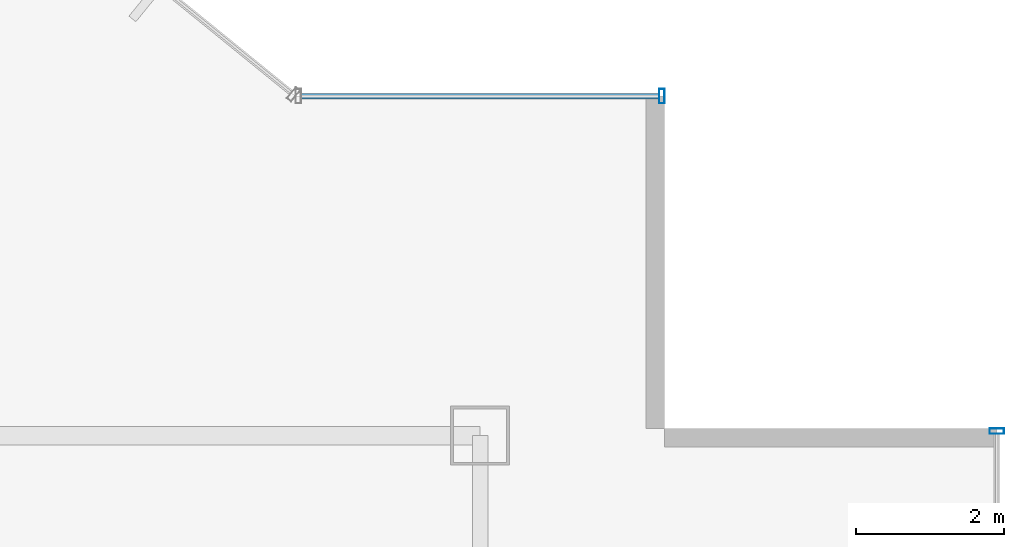
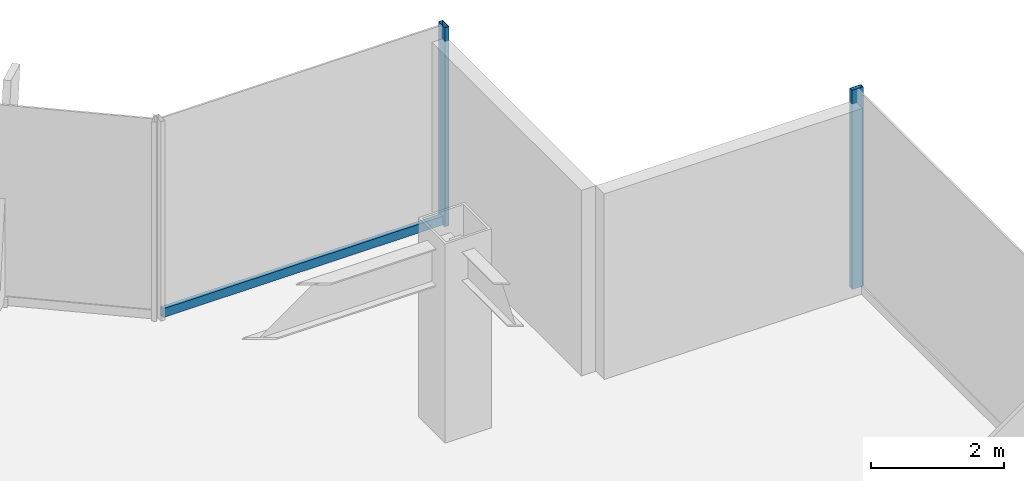
# One storey, part 19 of 26: 3 members, 2 elements without a shape of their own.
"""IFC4 building model written with IfcOpenShell, lengths in metres."""

from ifc_helpers import new_model, si_unit, derived_unit, direction, frame, origin, origin_2d, place, context, subcontext, project, spatial, hollow_rectangle, extrude, source, transform, mapped, material, material_profile, profile_set, type_object, element, aggregate, save


model = new_model("IFC4")

# Units and contexts
model_context = context("Model", 3, precision=1e-05, world=origin(), true_north=direction((0.0, 1.0)))
body_context = subcontext(model_context, "Body", "Model", "MODEL_VIEW")
ifc_project = project(units=[si_unit("LENGTHUNIT", "METRE"), si_unit("AREAUNIT", "SQUARE_METRE"), si_unit("VOLUMEUNIT", "CUBIC_METRE"), si_unit("PLANEANGLEUNIT", "RADIAN"), si_unit("MASSUNIT", "GRAM", prefix="KILO"), derived_unit("THERMALTRANSMITTANCEUNIT", [(si_unit("POWERUNIT", "WATT"), 1), (si_unit("LENGTHUNIT", "METRE"), -2), (si_unit("THERMODYNAMICTEMPERATUREUNIT", "KELVIN"), -1)])], contexts=[model_context])

# Site, building, storey
site_placement = place(None, origin())
site = spatial("IfcSite", under=ifc_project, at=site_placement, CompositionType="ELEMENT")
building_placement = place(site_placement, origin())
building = spatial("IfcBuilding", under=site, at=building_placement, Name="Skarnbrae Concourse Arena and Tower", CompositionType="ELEMENT")
storey_placement = place(building_placement, frame((0.0, 0.0, 110.550048828125)))
storey = spatial("IfcBuildingStorey", under=building, at=storey_placement, Name="L27", CompositionType="ELEMENT", Elevation=110.550048828125)

# Curtain wall, member
ifc_material = material(Name="Bronze anodised aluminium 6063-T6", Category="aluminium")
curtain_wall_type = type_object("IfcCurtainWallType", Name="CW-SYS-04-MIDZONE", PredefinedType="USERDEFINED", material=ifc_material)
curtain_wall_1_placement = place(storey_placement, origin())
curtain_wall_1 = element("IfcCurtainWall", 1, at=curtain_wall_1_placement, inside=storey, type_object=curtain_wall_type, Name="L27 Unitised curtain wall CW-L27-E07", ObjectType="UNITISED CURTAIN WALL", PredefinedType="USERDEFINED")
ifc_material_profile_1 = material_profile(ifc_material, hollow_rectangle(XDim=0.074951171875, YDim=0.159912109375, WallThickness=0.00439453125, at=origin_2d()), Name="ALU-TRAN-75X160")
ifc_profile_set_1 = profile_set([ifc_material_profile_1], Name="Bronze anodised aluminium 6063-T6")
member_type_1 = type_object("IfcMemberType", Name="CWT-CW-04", PredefinedType="USERDEFINED", material=ifc_profile_set_1)
shared_shape_1 = source(origin(), body_context, "Body", "SweptSolid", [
    extrude(hollow_rectangle(XDim=0.074951171875, YDim=0.159912109375, WallThickness=0.00439453125, at=origin_2d()), origin(), (0.0, 0.0, 1.0), 4.85009765625),
])
member_1_placement = place(storey_placement, frame((51.425048828125, 39.0, 0.079833984375), z_axis=(-1.0, 0.0, 0.0), x_axis=(0.0, -1.0, 0.0)))
member_1 = element("IfcMember", 2, at=member_1_placement, type_object=member_type_1, Name="CW-L27-E07 Transom 1", ObjectType="TRANSOM", PredefinedType="USERDEFINED", context=body_context, shape_type="MappedRepresentation", body=[
    mapped(shared_shape_1, transform((0.0, 0.0, 0.0))),
])

curtain_wall_2_placement = place(storey_placement, origin())
curtain_wall_2 = element("IfcCurtainWall", 3, at=curtain_wall_2_placement, inside=storey, type_object=curtain_wall_type, Name="L27 Unitised curtain wall CW-L27-E04", ObjectType="UNITISED CURTAIN WALL", PredefinedType="USERDEFINED")
ifc_material_profile_2 = material_profile(ifc_material, hollow_rectangle(XDim=0.074951171875, YDim=0.195068359375, WallThickness=0.00439453125, at=origin_2d()), Name="ALU-MULL-75X195")
ifc_profile_set_2 = profile_set([ifc_material_profile_2], Name="Bronze anodised aluminium 6063-T6")
member_type_2 = type_object("IfcMemberType", Name="CWM-CW-04", PredefinedType="MULLION", material=ifc_profile_set_2)
shared_shape_2 = source(origin(), body_context, "Body", "SweptSolid", [
    extrude(hollow_rectangle(XDim=0.074951171875, YDim=0.195068359375, WallThickness=0.00439453125, at=origin_2d()), origin(), (0.0, 0.0, 1.0), 3.64990234375),
])
member_2_placement = place(storey_placement, frame((56.0, 34.46240234375, 0.0), z_axis=(0.0, 0.0, 1.0), x_axis=(0.0, 1.0, 0.0)))
member_2 = element("IfcMember", 4, at=member_2_placement, type_object=member_type_2, Name="CW-L27-E04 Mullion 5", PredefinedType="MULLION", context=body_context, shape_type="MappedRepresentation", body=[
    mapped(shared_shape_2, transform((0.0, 0.0, 0.0))),
])
aggregate(curtain_wall_2, [member_2])

# Member
member_3_placement = place(storey_placement, frame((51.46240234375, 39.0, 0.0), z_axis=(0.0, 0.0, 1.0), x_axis=(-1.0, 0.0, 0.0)))
member_3 = element("IfcMember", 5, at=member_3_placement, type_object=member_type_2, Name="CW-L27-E07 Mullion 1", PredefinedType="MULLION", context=body_context, shape_type="MappedRepresentation", body=[
    mapped(shared_shape_2, transform((0.0, 0.0, 0.0))),
])

aggregate(curtain_wall_1, [member_3, member_1])

save(model, "model.ifc")
